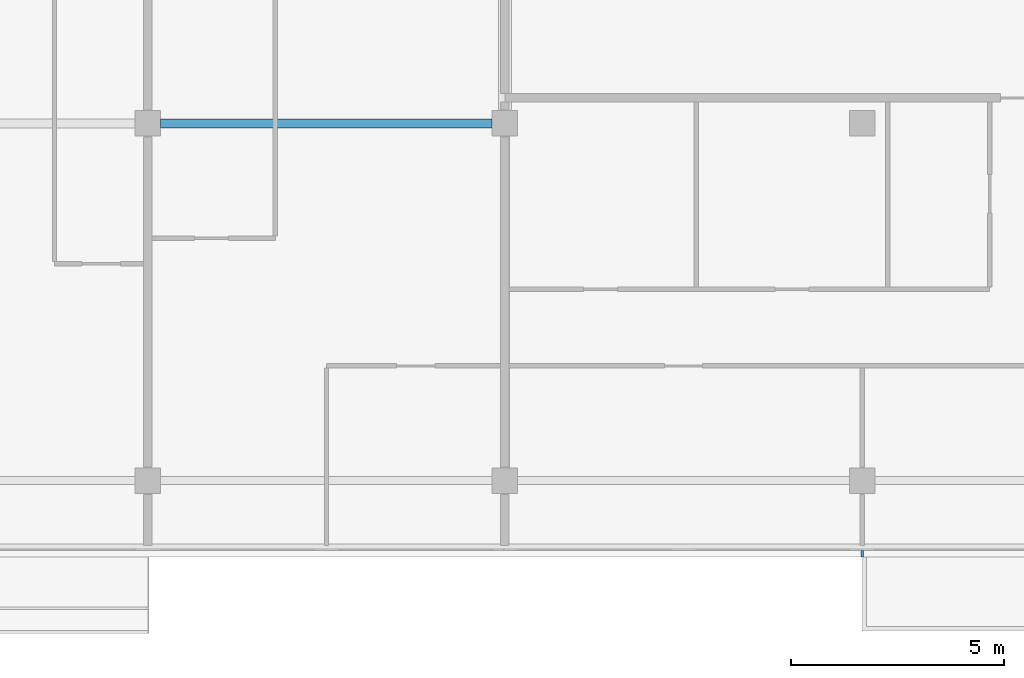
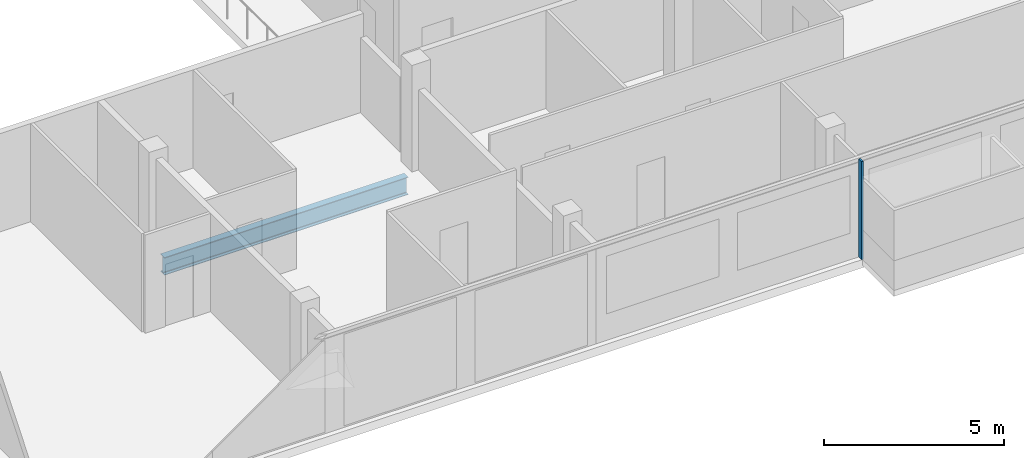
# One storey, part 6 of 27: 1 beam, 1 member, 1 element without a shape of its own.
"""IFC4 building model written with IfcOpenShell, lengths in metres."""

from ifc_helpers import new_model, si_unit, direction, frame, origin, origin_2d, place, context, subcontext, project, spatial, rectangle, i_section, extrude, material, material_profile, profile_set, type_object, element, aggregate, save


model = new_model("IFC4")

# Units and contexts
model_context = context("Model", 3, precision=1e-05, world=origin(), true_north=direction((0.0, 1.0)))
body_context = subcontext(model_context, "Body", "Model", "MODEL_VIEW")
ifc_project = project(units=[si_unit("LENGTHUNIT", "METRE"), si_unit("AREAUNIT", "SQUARE_METRE"), si_unit("VOLUMEUNIT", "CUBIC_METRE"), si_unit("PLANEANGLEUNIT", "RADIAN"), si_unit("MASSUNIT", "GRAM", prefix="KILO")], contexts=[model_context])

# Site, building, storey
site_placement = place(None, origin())
site = spatial("IfcSite", under=ifc_project, at=site_placement, CompositionType="ELEMENT")
building_placement = place(site_placement, origin())
building = spatial("IfcBuilding", under=site, at=building_placement, Name="Saffron Gate Tower", CompositionType="ELEMENT")
storey_placement = place(building_placement, frame((0.0, 0.0, 209.10009765625)))
storey = spatial("IfcBuildingStorey", under=building, at=storey_placement, Name="L50", CompositionType="ELEMENT", Elevation=209.10009765625)

# Beam
ifc_material_1 = material(Name="Structural steel S355", Category="steel")
ifc_material_profile_1 = material_profile(ifc_material_1, i_section(OverallWidth=0.219970703125, OverallDepth=0.60009765625, WebThickness=0.011962890625, FlangeThickness=0.01904296875, FilletRadius=0.02392578125, at=origin_2d()))
ifc_profile_set_1 = profile_set([ifc_material_profile_1], Name="Structural steel S355")
beam_type = type_object("IfcBeamType", Name="B15 IPE 600", PredefinedType="BEAM", material=ifc_profile_set_1)
beam_placement = place(storey_placement, frame((92.10009765625, 40.199951171875, -0.580078125), z_axis=(1.0, 0.0, 0.0), x_axis=(0.0, 1.0, 0.0)))
element("IfcBeam", 1, at=beam_placement, inside=storey, type_object=beam_type, Name="B15 FLOOR GIRDER", PredefinedType="BEAM", context=body_context, shape_type="SweptSolid", body=[
    extrude(i_section(OverallWidth=0.219970703125, OverallDepth=0.60009765625, WebThickness=0.011962890625, FlangeThickness=0.01904296875, FilletRadius=0.02392578125, at=origin_2d()), origin(), (0.0, 0.0, 1.0), 7.7998046875),
])

# Curtain wall, member
ifc_material_2 = material(Name="Aluminium, bronze anodised", Category="aluminium")
curtain_wall_type = type_object("IfcCurtainWallType", Name="CWS1 curtain wall front facade", PredefinedType="NOTDEFINED", material=ifc_material_2)
curtain_wall_placement = place(storey_placement, origin())
curtain_wall = element("IfcCurtainWall", 2, at=curtain_wall_placement, inside=storey, type_object=curtain_wall_type, Name="CWS1 run 1", PredefinedType="NOTDEFINED")
ifc_material_profile_2 = material_profile(ifc_material_2, rectangle(XDim=0.159912109375, YDim=0.06005859375, at=origin_2d()))
ifc_profile_set_2 = profile_set([ifc_material_profile_2], Name="Aluminium, bronze anodised")
member_type = type_object("IfcMemberType", Name="CWS1 mullion 60x160", PredefinedType="MULLION", material=ifc_profile_set_2)
member_placement = place(storey_placement, frame((108.60009765625, 30.080078125, 0.0), z_axis=(0.0, 0.0, 1.0), x_axis=(0.0, 1.0, 0.0)))
member = element("IfcMember", 3, at=member_placement, type_object=member_type, Name="CWS1 mullion 8", PredefinedType="MULLION", context=body_context, shape_type="SweptSolid", body=[
    extrude(rectangle(XDim=0.159912109375, YDim=0.06005859375, at=origin_2d()), origin(), (0.0, 0.0, 1.0), 3.31982421875),
])
aggregate(curtain_wall, [member])

save(model, "model.ifc")
